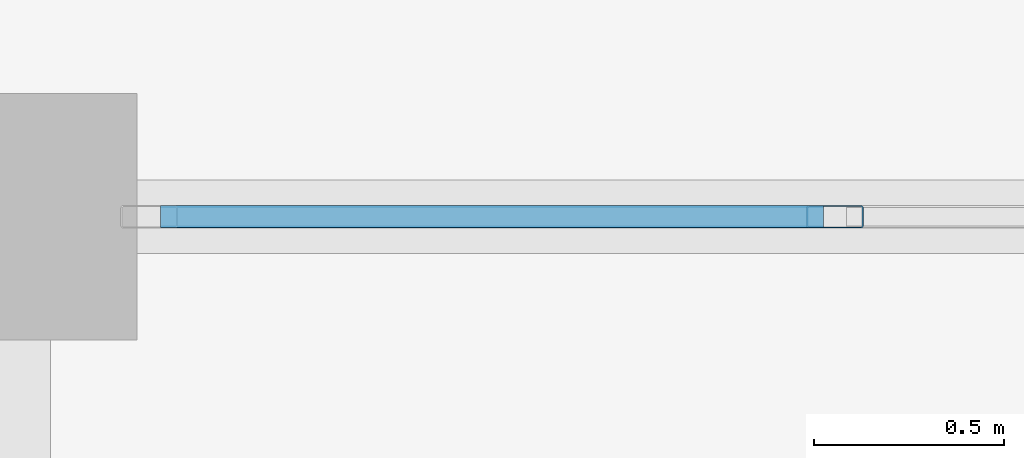
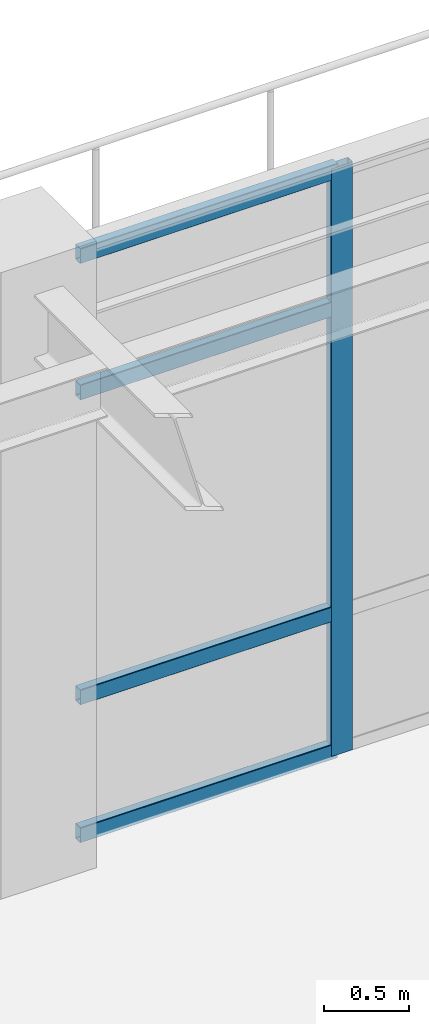
# One storey, part 27 of 78: 5 members, 1 element without a shape of its own.
"""IFC4 building model written with IfcOpenShell, lengths in metres."""

from ifc_helpers import new_model, si_unit, direction, frame, origin, origin_2d, place, context, subcontext, project, spatial, hollow_rectangle, extrude, material, material_profile, profile_set, type_object, element, aggregate, save


model = new_model("IFC4")

# Units and contexts
model_context = context("Model", 3, precision=1e-05, world=origin(), true_north=direction((0.0, 1.0)))
body_context = subcontext(model_context, "Body", "Model", "MODEL_VIEW")
ifc_project = project(units=[si_unit("LENGTHUNIT", "METRE"), si_unit("AREAUNIT", "SQUARE_METRE"), si_unit("VOLUMEUNIT", "CUBIC_METRE"), si_unit("PLANEANGLEUNIT", "RADIAN"), si_unit("MASSUNIT", "GRAM", prefix="KILO")], contexts=[model_context])

# Site, building, storey
site_placement = place(None, origin())
site = spatial("IfcSite", under=ifc_project, at=site_placement, CompositionType="ELEMENT")
building_placement = place(site_placement, origin())
building = spatial("IfcBuilding", under=site, at=building_placement, Name="Solmirada Galleria", CompositionType="ELEMENT")
storey_placement = place(building_placement, frame((0.0, 0.0, 23.89990234375)))
storey = spatial("IfcBuildingStorey", under=building, at=storey_placement, Name="L05", CompositionType="ELEMENT", Elevation=23.89990234375)

# Curtain wall, members
ifc_material_1 = material(Name="Impact-resistant low-E double glazing", Category="glass")
curtain_wall_type = type_object("IfcCurtainWallType", Name="CW-FZ5-L05-B4-L074", PredefinedType="NOTDEFINED", material=ifc_material_1)
curtain_wall_placement = place(storey_placement, origin())
curtain_wall = element("IfcCurtainWall", 1, at=curtain_wall_placement, inside=storey, type_object=curtain_wall_type, Name="Terrace and arcade storefront CW-L05-184", PredefinedType="NOTDEFINED")
ifc_material_2 = material(Name="Anodised aluminium framing", Category="aluminium")
ifc_material_profile_1 = material_profile(ifc_material_2, hollow_rectangle(XDim=0.06005859375, YDim=0.14990234375, WallThickness=0.00341796875, InnerFilletRadius=0.00341796875, OuterFilletRadius=0.007080078125, at=origin_2d()), Name="ALU-MULL-150X60")
ifc_profile_set_1 = profile_set([ifc_material_profile_1], Name="Anodised aluminium framing")
member_type_1 = type_object("IfcMemberType", Name="CW-MULL-150", PredefinedType="MULLION", material=ifc_profile_set_1)
member_1_placement = place(storey_placement, frame((130.16357421875, 24.0, 0.0), z_axis=(0.0, 0.0, 1.0), x_axis=(0.0, 1.0, 0.0)))
member_1 = element("IfcMember", 2, at=member_1_placement, type_object=member_type_1, Name="CW37 mullion 2", PredefinedType="MULLION", context=body_context, shape_type="SweptSolid", body=[
    extrude(hollow_rectangle(XDim=0.06005859375, YDim=0.14990234375, WallThickness=0.00341796875, InnerFilletRadius=0.00341796875, OuterFilletRadius=0.007080078125, at=origin_2d()), origin(), (0.0, 0.0, 1.0), 4.22021484375),
])
ifc_material_profile_2 = material_profile(ifc_material_2, hollow_rectangle(XDim=0.06005859375, YDim=0.110107421875, WallThickness=0.003173828125, InnerFilletRadius=0.003173828125, OuterFilletRadius=0.00634765625, at=origin_2d()), Name="ALU-TRAN-110X60")
ifc_profile_set_2 = profile_set([ifc_material_profile_2], Name="Anodised aluminium framing")
member_type_2 = type_object("IfcMemberType", Name="CW-TRAN-110", PredefinedType="USERDEFINED", material=ifc_profile_set_2)
member_2_placement = place(storey_placement, frame((128.386962890625, 24.0, 0.030029296875), z_axis=(1.0, 0.0, 0.0), x_axis=(0.0, 1.0, 0.0)))
member_2 = element("IfcMember", 3, at=member_2_placement, type_object=member_type_2, Name="CW37 transom 1.1", ObjectType="TRANSOM", PredefinedType="USERDEFINED", context=body_context, shape_type="SweptSolid", body=[
    extrude(hollow_rectangle(XDim=0.06005859375, YDim=0.110107421875, WallThickness=0.003173828125, InnerFilletRadius=0.003173828125, OuterFilletRadius=0.00634765625, at=origin_2d()), origin(), (0.0, 0.0, 1.0), 1.74658203125),
])
member_3_placement = place(storey_placement, frame((128.386962890625, 24.0, 1.02001953125), z_axis=(1.0, 0.0, 0.0), x_axis=(0.0, 1.0, 0.0)))
member_3 = element("IfcMember", 4, at=member_3_placement, type_object=member_type_2, Name="CW37 transom 1.2", ObjectType="TRANSOM", PredefinedType="USERDEFINED", context=body_context, shape_type="SweptSolid", body=[
    extrude(hollow_rectangle(XDim=0.06005859375, YDim=0.110107421875, WallThickness=0.003173828125, InnerFilletRadius=0.003173828125, OuterFilletRadius=0.00634765625, at=origin_2d()), origin(), (0.0, 0.0, 1.0), 1.74658203125),
])
member_4_placement = place(storey_placement, frame((128.386962890625, 24.0, 3.210205078125), z_axis=(1.0, 0.0, 0.0), x_axis=(0.0, 1.0, 0.0)))
member_4 = element("IfcMember", 5, at=member_4_placement, type_object=member_type_2, Name="CW37 transom 1.3", ObjectType="TRANSOM", PredefinedType="USERDEFINED", context=body_context, shape_type="SweptSolid", body=[
    extrude(hollow_rectangle(XDim=0.06005859375, YDim=0.110107421875, WallThickness=0.003173828125, InnerFilletRadius=0.003173828125, OuterFilletRadius=0.00634765625, at=origin_2d()), origin(), (0.0, 0.0, 1.0), 1.74658203125),
])
member_5_placement = place(storey_placement, frame((128.386962890625, 24.0, 4.190185546875), z_axis=(1.0, 0.0, 0.0), x_axis=(0.0, 1.0, 0.0)))
member_5 = element("IfcMember", 6, at=member_5_placement, type_object=member_type_2, Name="CW37 transom 1.4", ObjectType="TRANSOM", PredefinedType="USERDEFINED", context=body_context, shape_type="SweptSolid", body=[
    extrude(hollow_rectangle(XDim=0.06005859375, YDim=0.110107421875, WallThickness=0.003173828125, InnerFilletRadius=0.003173828125, OuterFilletRadius=0.00634765625, at=origin_2d()), origin(), (0.0, 0.0, 1.0), 1.74658203125),
])
aggregate(curtain_wall, [member_1, member_2, member_3, member_4, member_5])

save(model, "model.ifc")
